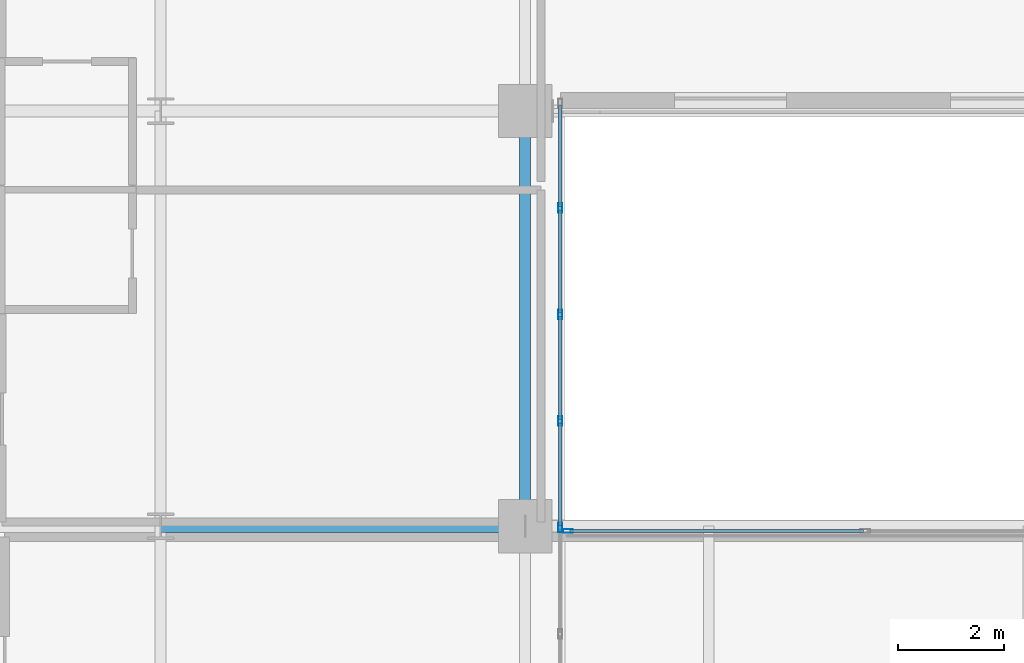
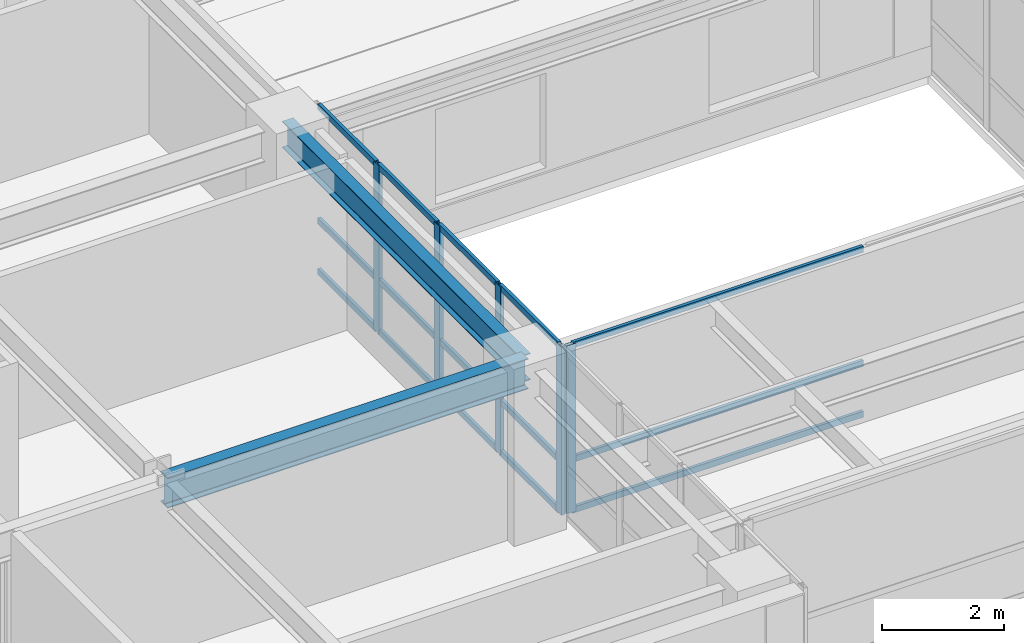
# One storey, part 3 of 31: 20 members, 2 beams, 2 elements without a shape of their own.
"""IFC4 building model written with IfcOpenShell, lengths in metres."""

from ifc_helpers import new_model, si_unit, direction, frame, origin, origin_2d, place, context, subcontext, project, spatial, hollow_rectangle, i_section, extrude, source, transform, mapped, material, layer, layer_set, material_profile, profile_set, type_object, type_shapes, element, aggregate, save


model = new_model("IFC4")

# Units and contexts
model_context = context("Model", 3, precision=1e-05, world=origin(), true_north=direction((0.0, 1.0)))
body_context = subcontext(model_context, "Body", "Model", "MODEL_VIEW")
ifc_project = project(units=[si_unit("LENGTHUNIT", "METRE"), si_unit("AREAUNIT", "SQUARE_METRE"), si_unit("VOLUMEUNIT", "CUBIC_METRE"), si_unit("PLANEANGLEUNIT", "RADIAN"), si_unit("MASSUNIT", "GRAM", prefix="KILO")], contexts=[model_context])

# Site, building, storey
site_placement = place(None, origin())
site = spatial("IfcSite", under=ifc_project, at=site_placement, CompositionType="ELEMENT")
building_placement = place(site_placement, origin())
building = spatial("IfcBuilding", under=site, at=building_placement, Name="Tolvann Quenvar Hotel", CompositionType="ELEMENT")
storey_placement = place(building_placement, frame((0.0, 0.0, 74.60009765625)))
storey = spatial("IfcBuildingStorey", under=building, at=storey_placement, Name="L18", CompositionType="ELEMENT", Elevation=74.60009765625)

# Beams
ifc_material_1 = material(Name="Steel Grade 350", Category="steel")
ifc_material_profile_1 = material_profile(ifc_material_1, i_section(OverallWidth=0.22900390625, OverallDepth=0.612060546875, WebThickness=0.011962890625, FlangeThickness=0.01953125, FilletRadius=0.013916015625, at=origin_2d()), Name="610UB125")
ifc_profile_set_1 = profile_set([ifc_material_profile_1], Name="Steel Grade 350")
beam_type_1 = type_object("IfcBeamType", Name="BM_GIRD_610UB125", PredefinedType="BEAM", material=ifc_profile_set_1)
shared_shape_1 = source(origin(), body_context, "Body", "SweptSolid", [
    extrude(i_section(OverallWidth=0.22900390625, OverallDepth=0.612060546875, WebThickness=0.011962890625, FlangeThickness=0.01953125, FilletRadius=0.013916015625, at=origin_2d()), origin(), (0.0, 0.0, 1.0), 6.85009765625),
])
type_shapes(beam_type_1, [shared_shape_1])
beam_1_placement = place(storey_placement, frame((15.199951171875, 8.199951171875, 3.06396484375), z_axis=(1.0, 0.0, 0.0), x_axis=(0.0, 1.0, 0.0)))
element("IfcBeam", 1, at=beam_1_placement, inside=storey, type_object=beam_type_1, Name="BM-L18-EW-3-D3-E3", PredefinedType="BEAM", context=body_context, shape_type="MappedRepresentation", body=[
    mapped(shared_shape_1, transform((0.0, 0.0, 0.0), x_axis=(1.0, 0.0, 0.0), y_axis=(0.0, 1.0, 0.0), z_axis=(0.0, 0.0, 1.0), scale=1.0)),
])
ifc_material_profile_2 = material_profile(ifc_material_1, i_section(OverallWidth=0.208984375, OverallDepth=0.532958984375, WebThickness=0.01025390625, FlangeThickness=0.015625, FilletRadius=0.013916015625, at=origin_2d()), Name="530UB92")
ifc_profile_set_2 = profile_set([ifc_material_profile_2], Name="Steel Grade 350")
beam_type_2 = type_object("IfcBeamType", Name="BM_GIRD_530UB92", PredefinedType="BEAM", material=ifc_profile_set_2)
shared_shape_2 = source(origin(), body_context, "Body", "SweptSolid", [
    extrude(i_section(OverallWidth=0.208984375, OverallDepth=0.532958984375, WebThickness=0.01025390625, FlangeThickness=0.015625, FilletRadius=0.013916015625, at=origin_2d()), origin(), (0.0, 0.0, 1.0), 7.800048828125),
])
type_shapes(beam_type_2, [shared_shape_2])
beam_2_placement = place(storey_placement, frame((22.050048828125, 8.199951171875, 3.103515625), z_axis=(0.0, 1.0, 0.0), x_axis=(-1.0, 0.0, 0.0)))
element("IfcBeam", 2, at=beam_2_placement, inside=storey, type_object=beam_type_2, Name="BM-L18-NS-E3-E4", PredefinedType="BEAM", context=body_context, shape_type="MappedRepresentation", body=[
    mapped(shared_shape_2, transform((0.0, 0.0, 0.0), x_axis=(1.0, 0.0, 0.0), y_axis=(0.0, 1.0, 0.0), z_axis=(0.0, 0.0, 1.0), scale=1.0)),
])

# Curtain wall, members
ifc_material_2 = material(Name="Thermally broken anodised architectural aluminium 6063-T6 and laminated low-E glass", Category="aluminium")
ifc_layer = layer(ifc_material_2, 0.179931640625)
ifc_layer_set = layer_set([ifc_layer], Name="Thermally broken anodised architectural aluminium 6063-T6 and laminated low-E glass")
curtain_wall_type = type_object("IfcCurtainWallType", Name="CW_SYS_SLOT_03", PredefinedType="USERDEFINED", material=ifc_layer_set)
curtain_wall_1_placement = place(storey_placement, origin())
curtain_wall_1 = element("IfcCurtainWall", 3, at=curtain_wall_1_placement, inside=storey, type_object=curtain_wall_type, Name="Curtain Wall CW-SLOT-03 (CWR-L18-E05)", ObjectType="UNITISED CURTAIN WALL", PredefinedType="USERDEFINED")
ifc_material_3 = material(Name="Anodised architectural aluminium 6063-T6 framing", Category="aluminium")
ifc_material_profile_3 = material_profile(ifc_material_3, hollow_rectangle(XDim=0.06005859375, YDim=0.1201171875, WallThickness=0.00341796875, at=origin_2d()), Name="120x60x3.5RHS")
ifc_profile_set_3 = profile_set([ifc_material_profile_3], Name="Anodised architectural aluminium 6063-T6 framing")
member_type_1 = type_object("IfcMemberType", Name="CW_TRAN_120x60", PredefinedType="USERDEFINED", material=ifc_profile_set_3)
shared_shape_3 = source(origin(), body_context, "Body", "SweptSolid", [
    extrude(hollow_rectangle(XDim=0.06005859375, YDim=0.1201171875, WallThickness=0.00341796875, at=origin_2d()), origin(), (0.0, 0.0, 1.0), 1.929931640625),
])
member_1_placement = place(storey_placement, frame((22.7099609375, 8.2099609375, 0.02978515625), z_axis=(0.0, 1.0, 0.0), x_axis=(-1.0, 0.0, 0.0)))
member_1 = element("IfcMember", 4, at=member_1_placement, type_object=member_type_1, Name="CW-SLOT-03 transom 5.1", ObjectType="TRANSOM", PredefinedType="USERDEFINED", context=body_context, shape_type="MappedRepresentation", body=[
    mapped(shared_shape_3, transform((0.0, 0.0, 0.0), x_axis=(1.0, 0.0, 0.0), y_axis=(0.0, 1.0, 0.0), z_axis=(0.0, 0.0, 1.0), scale=1.0)),
])
member_2_placement = place(storey_placement, frame((22.7099609375, 8.2099609375, 1.0498046875), z_axis=(0.0, 1.0, 0.0), x_axis=(-1.0, 0.0, 0.0)))
member_2 = element("IfcMember", 5, at=member_2_placement, type_object=member_type_1, Name="CW-SLOT-03 transom 5.2", ObjectType="TRANSOM", PredefinedType="USERDEFINED", context=body_context, shape_type="MappedRepresentation", body=[
    mapped(shared_shape_3, transform((0.0, 0.0, 0.0), x_axis=(1.0, 0.0, 0.0), y_axis=(0.0, 1.0, 0.0), z_axis=(0.0, 0.0, 1.0), scale=1.0)),
])
member_3_placement = place(storey_placement, frame((22.7099609375, 8.2099609375, 3.33984375), z_axis=(0.0, 1.0, 0.0), x_axis=(-1.0, 0.0, 0.0)))
member_3 = element("IfcMember", 6, at=member_3_placement, type_object=member_type_1, Name="CW-SLOT-03 transom 5.3", ObjectType="TRANSOM", PredefinedType="USERDEFINED", context=body_context, shape_type="MappedRepresentation", body=[
    mapped(shared_shape_3, transform((0.0, 0.0, 0.0), x_axis=(1.0, 0.0, 0.0), y_axis=(0.0, 1.0, 0.0), z_axis=(0.0, 0.0, 1.0), scale=1.0)),
])
member_4_placement = place(storey_placement, frame((22.7099609375, 10.2099609375, 0.02978515625), z_axis=(0.0, 1.0, 0.0), x_axis=(-1.0, 0.0, 0.0)))
member_4 = element("IfcMember", 7, at=member_4_placement, type_object=member_type_1, Name="CW-SLOT-03 transom 6.1", ObjectType="TRANSOM", PredefinedType="USERDEFINED", context=body_context, shape_type="MappedRepresentation", body=[
    mapped(shared_shape_3, transform((0.0, 0.0, 0.0), x_axis=(1.0, 0.0, 0.0), y_axis=(0.0, 1.0, 0.0), z_axis=(0.0, 0.0, 1.0), scale=1.0)),
])
member_5_placement = place(storey_placement, frame((22.7099609375, 10.2099609375, 1.0498046875), z_axis=(0.0, 1.0, 0.0), x_axis=(-1.0, 0.0, 0.0)))
member_5 = element("IfcMember", 8, at=member_5_placement, type_object=member_type_1, Name="CW-SLOT-03 transom 6.2", ObjectType="TRANSOM", PredefinedType="USERDEFINED", context=body_context, shape_type="MappedRepresentation", body=[
    mapped(shared_shape_3, transform((0.0, 0.0, 0.0), x_axis=(1.0, 0.0, 0.0), y_axis=(0.0, 1.0, 0.0), z_axis=(0.0, 0.0, 1.0), scale=1.0)),
])
member_6_placement = place(storey_placement, frame((22.7099609375, 10.2099609375, 3.33984375), z_axis=(0.0, 1.0, 0.0), x_axis=(-1.0, 0.0, 0.0)))
member_6 = element("IfcMember", 9, at=member_6_placement, type_object=member_type_1, Name="CW-SLOT-03 transom 6.3", ObjectType="TRANSOM", PredefinedType="USERDEFINED", context=body_context, shape_type="MappedRepresentation", body=[
    mapped(shared_shape_3, transform((0.0, 0.0, 0.0), x_axis=(1.0, 0.0, 0.0), y_axis=(0.0, 1.0, 0.0), z_axis=(0.0, 0.0, 1.0), scale=1.0)),
])
member_7_placement = place(storey_placement, frame((22.7099609375, 12.2099609375, 0.02978515625), z_axis=(0.0, 1.0, 0.0), x_axis=(-1.0, 0.0, 0.0)))
member_7 = element("IfcMember", 10, at=member_7_placement, type_object=member_type_1, Name="CW-SLOT-03 transom 7.1", ObjectType="TRANSOM", PredefinedType="USERDEFINED", context=body_context, shape_type="MappedRepresentation", body=[
    mapped(shared_shape_3, transform((0.0, 0.0, 0.0), x_axis=(1.0, 0.0, 0.0), y_axis=(0.0, 1.0, 0.0), z_axis=(0.0, 0.0, 1.0), scale=1.0)),
])
member_8_placement = place(storey_placement, frame((22.7099609375, 12.2099609375, 1.0498046875), z_axis=(0.0, 1.0, 0.0), x_axis=(-1.0, 0.0, 0.0)))
member_8 = element("IfcMember", 11, at=member_8_placement, type_object=member_type_1, Name="CW-SLOT-03 transom 7.2", ObjectType="TRANSOM", PredefinedType="USERDEFINED", context=body_context, shape_type="MappedRepresentation", body=[
    mapped(shared_shape_3, transform((0.0, 0.0, 0.0), x_axis=(1.0, 0.0, 0.0), y_axis=(0.0, 1.0, 0.0), z_axis=(0.0, 0.0, 1.0), scale=1.0)),
])
member_9_placement = place(storey_placement, frame((22.7099609375, 12.2099609375, 3.33984375), z_axis=(0.0, 1.0, 0.0), x_axis=(-1.0, 0.0, 0.0)))
member_9 = element("IfcMember", 12, at=member_9_placement, type_object=member_type_1, Name="CW-SLOT-03 transom 7.3", ObjectType="TRANSOM", PredefinedType="USERDEFINED", context=body_context, shape_type="MappedRepresentation", body=[
    mapped(shared_shape_3, transform((0.0, 0.0, 0.0), x_axis=(1.0, 0.0, 0.0), y_axis=(0.0, 1.0, 0.0), z_axis=(0.0, 0.0, 1.0), scale=1.0)),
])
shared_shape_4 = source(origin(), body_context, "Body", "SweptSolid", [
    extrude(hollow_rectangle(XDim=0.06005859375, YDim=0.1201171875, WallThickness=0.00341796875, at=origin_2d()), origin(), (0.0, 0.0, 1.0), 1.89501953125),
])
member_10_placement = place(storey_placement, frame((22.7099609375, 14.2099609375, 0.02978515625), z_axis=(0.0, 1.0, 0.0), x_axis=(-1.0, 0.0, 0.0)))
member_10 = element("IfcMember", 13, at=member_10_placement, type_object=member_type_1, Name="CW-SLOT-03 transom 8.1", ObjectType="TRANSOM", PredefinedType="USERDEFINED", context=body_context, shape_type="MappedRepresentation", body=[
    mapped(shared_shape_4, transform((0.0, 0.0, 0.0), x_axis=(1.0, 0.0, 0.0), y_axis=(0.0, 1.0, 0.0), z_axis=(0.0, 0.0, 1.0), scale=1.0)),
])
member_11_placement = place(storey_placement, frame((22.7099609375, 14.2099609375, 1.0498046875), z_axis=(0.0, 1.0, 0.0), x_axis=(-1.0, 0.0, 0.0)))
member_11 = element("IfcMember", 14, at=member_11_placement, type_object=member_type_1, Name="CW-SLOT-03 transom 8.2", ObjectType="TRANSOM", PredefinedType="USERDEFINED", context=body_context, shape_type="MappedRepresentation", body=[
    mapped(shared_shape_4, transform((0.0, 0.0, 0.0), x_axis=(1.0, 0.0, 0.0), y_axis=(0.0, 1.0, 0.0), z_axis=(0.0, 0.0, 1.0), scale=1.0)),
])
member_12_placement = place(storey_placement, frame((22.7099609375, 14.2099609375, 3.33984375), z_axis=(0.0, 1.0, 0.0), x_axis=(-1.0, 0.0, 0.0)))
member_12 = element("IfcMember", 15, at=member_12_placement, type_object=member_type_1, Name="CW-SLOT-03 transom 8.3", ObjectType="TRANSOM", PredefinedType="USERDEFINED", context=body_context, shape_type="MappedRepresentation", body=[
    mapped(shared_shape_4, transform((0.0, 0.0, 0.0), x_axis=(1.0, 0.0, 0.0), y_axis=(0.0, 1.0, 0.0), z_axis=(0.0, 0.0, 1.0), scale=1.0)),
])
ifc_material_profile_4 = material_profile(ifc_material_3, hollow_rectangle(XDim=0.070068359375, YDim=0.179931640625, WallThickness=0.00390625, at=origin_2d()), Name="180x70x4RHS")
ifc_profile_set_4 = profile_set([ifc_material_profile_4], Name="Anodised architectural aluminium 6063-T6 framing")
member_type_2 = type_object("IfcMemberType", Name="CW_MULL_180x70", PredefinedType="MULLION", material=ifc_profile_set_4)
shared_shape_5 = source(origin(), body_context, "Body", "SweptSolid", [
    extrude(hollow_rectangle(XDim=0.070068359375, YDim=0.179931640625, WallThickness=0.00390625, at=origin_2d()), origin(), (0.0, 0.0, 1.0), 3.369873046875),
])
type_shapes(member_type_2, [shared_shape_5])
member_13_placement = place(storey_placement, frame((22.7099609375, 8.175048828125, 0.0), z_axis=(0.0, 0.0, 1.0), x_axis=(-1.0, 0.0, 0.0)))
member_13 = element("IfcMember", 16, at=member_13_placement, type_object=member_type_2, Name="CW-SLOT-03 mullion 5", PredefinedType="MULLION", context=body_context, shape_type="MappedRepresentation", body=[
    mapped(shared_shape_5, transform((0.0, 0.0, 0.0), x_axis=(1.0, 0.0, 0.0), y_axis=(0.0, 1.0, 0.0), z_axis=(0.0, 0.0, 1.0), scale=1.0)),
])
member_14_placement = place(storey_placement, frame((22.7099609375, 10.175048828125, 0.0), z_axis=(0.0, 0.0, 1.0), x_axis=(-1.0, 0.0, 0.0)))
member_14 = element("IfcMember", 17, at=member_14_placement, type_object=member_type_2, Name="CW-SLOT-03 mullion 6", PredefinedType="MULLION", context=body_context, shape_type="MappedRepresentation", body=[
    mapped(shared_shape_5, transform((0.0, 0.0, 0.0), x_axis=(1.0, 0.0, 0.0), y_axis=(0.0, 1.0, 0.0), z_axis=(0.0, 0.0, 1.0), scale=1.0)),
])
member_15_placement = place(storey_placement, frame((22.7099609375, 12.175048828125, 0.0), z_axis=(0.0, 0.0, 1.0), x_axis=(-1.0, 0.0, 0.0)))
member_15 = element("IfcMember", 18, at=member_15_placement, type_object=member_type_2, Name="CW-SLOT-03 mullion 7", PredefinedType="MULLION", context=body_context, shape_type="MappedRepresentation", body=[
    mapped(shared_shape_5, transform((0.0, 0.0, 0.0), x_axis=(1.0, 0.0, 0.0), y_axis=(0.0, 1.0, 0.0), z_axis=(0.0, 0.0, 1.0), scale=1.0)),
])
member_16_placement = place(storey_placement, frame((22.7099609375, 14.175048828125, 0.0), z_axis=(0.0, 0.0, 1.0), x_axis=(-1.0, 0.0, 0.0)))
member_16 = element("IfcMember", 19, at=member_16_placement, type_object=member_type_2, Name="CW-SLOT-03 mullion 8", PredefinedType="MULLION", context=body_context, shape_type="MappedRepresentation", body=[
    mapped(shared_shape_5, transform((0.0, 0.0, 0.0), x_axis=(1.0, 0.0, 0.0), y_axis=(0.0, 1.0, 0.0), z_axis=(0.0, 0.0, 1.0), scale=1.0)),
])
aggregate(curtain_wall_1, [member_13, member_14, member_15, member_16, member_1, member_2, member_3, member_4, member_5, member_6, member_7, member_8, member_9, member_10, member_11, member_12])

curtain_wall_2_placement = place(storey_placement, origin())
curtain_wall_2 = element("IfcCurtainWall", 20, at=curtain_wall_2_placement, inside=storey, type_object=curtain_wall_type, Name="Curtain Wall CW-SLOT-03 (CWR-BRG-L18-N)", ObjectType="UNITISED CURTAIN WALL", PredefinedType="USERDEFINED")
member_17_placement = place(storey_placement, frame((22.85498046875, 8.110107421875, 0.0), z_axis=(0.0, 0.0, 1.0), x_axis=(0.0, -1.0, 0.0)))
member_17 = element("IfcMember", 21, at=member_17_placement, type_object=member_type_2, Name="CW-SLOT-03 mullion 3", PredefinedType="MULLION", context=body_context, shape_type="MappedRepresentation", body=[
    mapped(shared_shape_5, transform((0.0, 0.0, 0.0), x_axis=(1.0, 0.0, 0.0), y_axis=(0.0, 1.0, 0.0), z_axis=(0.0, 0.0, 1.0), scale=1.0)),
])
shared_shape_6 = source(origin(), body_context, "Body", "SweptSolid", [
    extrude(hollow_rectangle(XDim=0.06005859375, YDim=0.1201171875, WallThickness=0.00341796875, at=origin_2d()), origin(), (0.0, 0.0, 1.0), 5.51513671875),
])
type_shapes(member_type_1, [shared_shape_3, shared_shape_4, shared_shape_6])
member_18_placement = place(storey_placement, frame((28.405029296875, 8.110107421875, 0.02978515625), z_axis=(-1.0, 0.0, 0.0), x_axis=(0.0, -1.0, 0.0)))
member_18 = element("IfcMember", 22, at=member_18_placement, type_object=member_type_1, Name="CW-SLOT-03 transom 2.1", ObjectType="TRANSOM", PredefinedType="USERDEFINED", context=body_context, shape_type="MappedRepresentation", body=[
    mapped(shared_shape_6, transform((0.0, 0.0, 0.0), x_axis=(1.0, 0.0, 0.0), y_axis=(0.0, 1.0, 0.0), z_axis=(0.0, 0.0, 1.0), scale=1.0)),
])
member_19_placement = place(storey_placement, frame((28.405029296875, 8.110107421875, 1.0498046875), z_axis=(-1.0, 0.0, 0.0), x_axis=(0.0, -1.0, 0.0)))
member_19 = element("IfcMember", 23, at=member_19_placement, type_object=member_type_1, Name="CW-SLOT-03 transom 2.2", ObjectType="TRANSOM", PredefinedType="USERDEFINED", context=body_context, shape_type="MappedRepresentation", body=[
    mapped(shared_shape_6, transform((0.0, 0.0, 0.0), x_axis=(1.0, 0.0, 0.0), y_axis=(0.0, 1.0, 0.0), z_axis=(0.0, 0.0, 1.0), scale=1.0)),
])
member_20_placement = place(storey_placement, frame((28.405029296875, 8.110107421875, 3.33984375), z_axis=(-1.0, 0.0, 0.0), x_axis=(0.0, -1.0, 0.0)))
member_20 = element("IfcMember", 24, at=member_20_placement, type_object=member_type_1, Name="CW-SLOT-03 transom 2.3", ObjectType="TRANSOM", PredefinedType="USERDEFINED", context=body_context, shape_type="MappedRepresentation", body=[
    mapped(shared_shape_6, transform((0.0, 0.0, 0.0), x_axis=(1.0, 0.0, 0.0), y_axis=(0.0, 1.0, 0.0), z_axis=(0.0, 0.0, 1.0), scale=1.0)),
])
aggregate(curtain_wall_2, [member_17, member_18, member_19, member_20])

save(model, "model.ifc")
